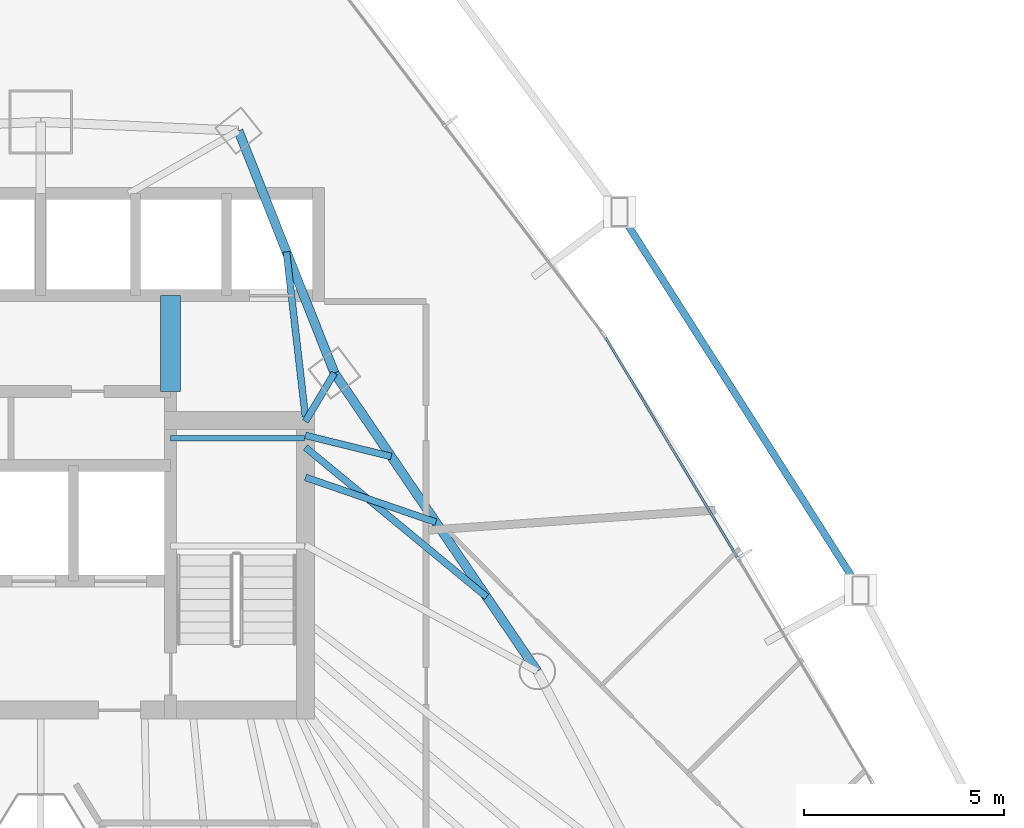
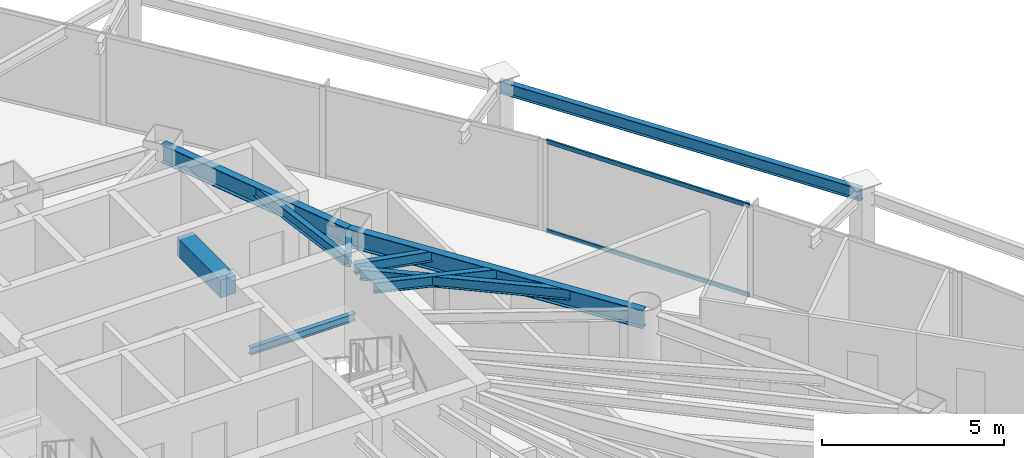
# One storey, part 26 of 35: 10 beams, 2 members, 1 element without a shape of its own.
"""IFC4 building model written with IfcOpenShell, lengths in metres."""

from ifc_helpers import new_model, si_unit, direction, frame, origin, origin_2d, place, context, subcontext, project, spatial, rectangle, hollow_rectangle, i_section, extrude, material, layer, layer_set, material_profile, profile_set, type_object, element, aggregate, save


model = new_model("IFC4")

# Units and contexts
model_context = context("Model", 3, precision=1e-05, world=origin(), true_north=direction((0.0, 1.0)))
body_context = subcontext(model_context, "Body", "Model", "MODEL_VIEW")
ifc_project = project(units=[si_unit("LENGTHUNIT", "METRE"), si_unit("AREAUNIT", "SQUARE_METRE"), si_unit("VOLUMEUNIT", "CUBIC_METRE"), si_unit("PLANEANGLEUNIT", "RADIAN"), si_unit("MASSUNIT", "GRAM", prefix="KILO")], contexts=[model_context])

# Site, building, storey
site_placement = place(None, origin())
site = spatial("IfcSite", under=ifc_project, at=site_placement, CompositionType="ELEMENT")
building_placement = place(site_placement, origin())
building = spatial("IfcBuilding", under=site, at=building_placement, Name="Orvanel Arch Residences", CompositionType="ELEMENT")
storey_placement = place(building_placement, frame((0.0, 0.0, 30.199951171875)))
storey = spatial("IfcBuildingStorey", under=building, at=storey_placement, Name="L07", CompositionType="ELEMENT", Elevation=30.199951171875)

# Beams
ifc_material_1 = material(Name="Structural steel AS/NZS 3679.1 Grade 300 (300 MPa)", Category="steel")
ifc_material_profile_1 = material_profile(ifc_material_1, i_section(OverallWidth=0.14599609375, OverallDepth=0.251953125, WebThickness=0.006103515625, FlangeThickness=0.008544921875, at=origin_2d()), Name="250UB31.4")
ifc_profile_set_1 = profile_set([ifc_material_profile_1], Name="Structural steel AS/NZS 3679.1 Grade 300 (300 MPa)")
beam_type_1 = type_object("IfcBeamType", Name="BJ-250UB", PredefinedType="JOIST", material=ifc_profile_set_1)
beam_1_placement = place(storey_placement, frame((36.25, 33.47998046875, 1.323974609375), z_axis=(1.0, 0.0, 0.0), x_axis=(0.0, 1.0, 0.0)))
element("IfcBeam", 1, at=beam_1_placement, inside=storey, type_object=beam_type_1, Name="L07 ST-2 Half-Landing Support Beam 1.2", PredefinedType="JOIST", context=body_context, shape_type="SweptSolid", body=[
    extrude(i_section(OverallWidth=0.14599609375, OverallDepth=0.251953125, WebThickness=0.006103515625, FlangeThickness=0.008544921875, at=origin_2d()), origin(), (0.0, 0.0, 1.0), 3.35009765625),
])
ifc_material_profile_2 = material_profile(ifc_material_1, i_section(OverallWidth=0.1708984375, OverallDepth=0.35595703125, WebThickness=0.00732421875, FlangeThickness=0.011474609375, at=origin_2d()), Name="360UB50.7")
ifc_profile_set_2 = profile_set([ifc_material_profile_2], Name="Structural steel AS/NZS 3679.1 Grade 300 (300 MPa)")
beam_type_2 = type_object("IfcBeamType", Name="BJ-360UB", PredefinedType="JOIST", material=ifc_profile_set_2)
beam_2_placement = place(storey_placement, frame((39.625, 33.89990234375, 2.882080078125), z_axis=(0.514064138778, 0.857751748015, 0.0), x_axis=(-0.857751748015, 0.514064138778, 0.0)))
element("IfcBeam", 2, at=beam_2_placement, inside=storey, type_object=beam_type_2, Name="L07 NNE Wing Floor Joist", PredefinedType="JOIST", context=body_context, shape_type="SweptSolid", body=[
    extrude(i_section(OverallWidth=0.1708984375, OverallDepth=0.35595703125, WebThickness=0.00732421875, FlangeThickness=0.011474609375, at=origin_2d()), origin(), (0.0, 0.0, 1.0), 1.414306640625),
])
beam_3_placement = place(storey_placement, frame((39.625, 34.02001953125, 2.882080078125), z_axis=(-0.114186670431, 0.993459311847, 0.0), x_axis=(-0.993459311847, -0.114186670431, 0.0)))
element("IfcBeam", 3, at=beam_3_placement, inside=storey, type_object=beam_type_2, Name="L07 NNE2 Wing Floor Joist", PredefinedType="JOIST", context=body_context, shape_type="SweptSolid", body=[
    extrude(i_section(OverallWidth=0.1708984375, OverallDepth=0.35595703125, WebThickness=0.00732421875, FlangeThickness=0.011474609375, at=origin_2d()), origin(), (0.0, 0.0, 1.0), 4.152099609375),
])
beam_4_placement = place(storey_placement, frame((39.625, 32.5, 2.882080078125), z_axis=(0.945658073701, -0.325162740247, 0.0), x_axis=(0.325162740247, 0.945658073701, 0.0)))
element("IfcBeam", 4, at=beam_4_placement, inside=storey, type_object=beam_type_2, Name="L07 ENE Wing Floor Joist", PredefinedType="JOIST", context=body_context, shape_type="SweptSolid", body=[
    extrude(i_section(OverallWidth=0.1708984375, OverallDepth=0.35595703125, WebThickness=0.00732421875, FlangeThickness=0.011474609375, at=origin_2d()), origin(), (0.0, 0.0, 1.0), 3.453857421875),
])
beam_5_placement = place(storey_placement, frame((39.625, 33.25, 2.882080078125), z_axis=(0.771468562814, -0.636267441089, 0.0), x_axis=(0.636267441089, 0.771468562814, 0.0)))
element("IfcBeam", 5, at=beam_5_placement, inside=storey, type_object=beam_type_2, Name="L07 LE Wing Floor Joist", PredefinedType="JOIST", context=body_context, shape_type="SweptSolid", body=[
    extrude(i_section(OverallWidth=0.1708984375, OverallDepth=0.35595703125, WebThickness=0.00732421875, FlangeThickness=0.011474609375, at=origin_2d()), origin(), (0.0, 0.0, 1.0), 5.879638671875),
])
beam_6_placement = place(storey_placement, frame((39.625, 33.550048828125, 2.882080078125), z_axis=(0.971005818547, -0.239055851942, 0.0), x_axis=(0.239055851942, 0.971005818547, 0.0)))
element("IfcBeam", 6, at=beam_6_placement, inside=storey, type_object=beam_type_2, Name="L07 JADD4 Wing Floor Joist", PredefinedType="JOIST", context=body_context, shape_type="SweptSolid", body=[
    extrude(i_section(OverallWidth=0.1708984375, OverallDepth=0.35595703125, WebThickness=0.00732421875, FlangeThickness=0.011474609375, at=origin_2d()), origin(), (0.0, 0.0, 1.0), 2.213134765625),
])
ifc_material_2 = material(Name="Concrete S65 (65 MPa)", Category="concrete")
ifc_material_profile_3 = material_profile(ifc_material_2, rectangle(XDim=0.5, YDim=0.60009765625, at=origin_2d()), Name="RC500x600")
ifc_profile_set_3 = profile_set([ifc_material_profile_3], Name="Concrete S65 (65 MPa)")
beam_type_3 = type_object("IfcBeamType", Name="CB-500x600", PredefinedType="LINTEL", material=ifc_profile_set_3)
beam_7_placement = place(storey_placement, frame((36.25, 34.64990234375, 2.760009765625), z_axis=(0.0, 1.0, 0.0), x_axis=(-1.0, 0.0, 0.0)))
element("IfcBeam", 7, at=beam_7_placement, inside=storey, type_object=beam_type_3, Name="L07 East Core Lobby Coupling Lintel Beam", PredefinedType="LINTEL", context=body_context, shape_type="SweptSolid", body=[
    extrude(rectangle(XDim=0.5, YDim=0.60009765625, at=origin_2d()), origin(), (0.0, 0.0, 1.0), 2.400146484375),
])
ifc_material_profile_4 = material_profile(ifc_material_1, i_section(OverallWidth=0.177978515625, OverallDepth=0.406005859375, WebThickness=0.0078125, FlangeThickness=0.0126953125, at=origin_2d()), Name="410UB59.7")
ifc_profile_set_4 = profile_set([ifc_material_profile_4], Name="Structural steel AS/NZS 3679.1 Grade 300 (300 MPa)")
beam_type_4 = type_object("IfcBeamType", Name="OB-410UB-EXT", PredefinedType="SPANDREL", material=ifc_profile_set_4)
beam_8_placement = place(storey_placement, frame((53.51904296875, 29.675048828125, 2.85693359375), z_axis=(-0.537187878794, 0.843462614985, 0.0), x_axis=(-0.843462614985, -0.537187878794, 0.0)))
element("IfcBeam", 8, at=beam_8_placement, inside=storey, type_object=beam_type_4, Name="L07 Outer Perimeter Floor Ring Beam 10", PredefinedType="SPANDREL", context=body_context, shape_type="SweptSolid", body=[
    extrude(i_section(OverallWidth=0.177978515625, OverallDepth=0.406005859375, WebThickness=0.0078125, FlangeThickness=0.0126953125, at=origin_2d()), origin(), (0.0, 0.0, 1.0), 11.22509765625),
])
ifc_material_profile_5 = material_profile(ifc_material_1, i_section(OverallWidth=0.22900390625, OverallDepth=0.612060546875, WebThickness=0.011962890625, FlangeThickness=0.01953125, at=origin_2d()), Name="610UB125")
ifc_profile_set_5 = profile_set([ifc_material_profile_5], Name="Structural steel AS/NZS 3679.1 Grade 300 (300 MPa)")
beam_type_5 = type_object("IfcBeamType", Name="SP-610UB", PredefinedType="SPANDREL", material=ifc_profile_set_5)
beam_9_placement = place(storey_placement, frame((45.430908203125, 27.64111328125, 2.754150390625), z_axis=(-0.562154793153, 0.827032035978, 0.0), x_axis=(-0.827032035978, -0.562154793153, 0.0)))
element("IfcBeam", 9, at=beam_9_placement, inside=storey, type_object=beam_type_5, Name="L07 Perimeter Spandrel Beam 14", PredefinedType="SPANDREL", context=body_context, shape_type="SweptSolid", body=[
    extrude(i_section(OverallWidth=0.22900390625, OverallDepth=0.612060546875, WebThickness=0.011962890625, FlangeThickness=0.01953125, at=origin_2d()), origin(), (0.0, 0.0, 1.0), 9.03466796875),
])
beam_10_placement = place(storey_placement, frame((40.35205078125, 35.113037109375, 2.754150390625), z_axis=(-0.368233143579, 0.929733484376, 0.0), x_axis=(-0.929733484376, -0.368233143579, 0.0)))
element("IfcBeam", 10, at=beam_10_placement, inside=storey, type_object=beam_type_5, Name="L07 Perimeter Spandrel Beam 15", PredefinedType="SPANDREL", context=body_context, shape_type="SweptSolid", body=[
    extrude(i_section(OverallWidth=0.22900390625, OverallDepth=0.612060546875, WebThickness=0.011962890625, FlangeThickness=0.01953125, at=origin_2d()), origin(), (0.0, 0.0, 1.0), 6.523193359375),
])

# Curtain wall, members
ifc_material_3 = material(Name="Bronze-anodised aluminium AA6063-T6", Category="aluminium")
ifc_layer = layer(ifc_material_3, 0.179931640625)
ifc_layer_set = layer_set([ifc_layer], Name="Bronze-anodised aluminium AA6063-T6")
curtain_wall_type = type_object("IfcCurtainWallType", Name="CW2-LOW-SYS", PredefinedType="NOTDEFINED", material=ifc_layer_set)
curtain_wall_placement = place(storey_placement, origin())
curtain_wall = element("IfcCurtainWall", 11, at=curtain_wall_placement, inside=storey, type_object=curtain_wall_type, Name="L07 CW2-LOW-SYS Unitised Curtain Wall", PredefinedType="NOTDEFINED")
ifc_material_profile_6 = material_profile(ifc_material_3, hollow_rectangle(XDim=0.06005859375, YDim=0.135009765625, WallThickness=0.00390625, at=origin_2d()), Name="ALU135x60x4")
ifc_profile_set_6 = profile_set([ifc_material_profile_6], Name="Bronze-anodised aluminium AA6063-T6")
member_type = type_object("IfcMemberType", Name="TRN-135x60", PredefinedType="USERDEFINED", material=ifc_profile_set_6)
member_1_placement = place(storey_placement, frame((50.431884765625, 30.509521484375, 0.030029296875), z_axis=(-0.514411623983, 0.857543398967, 0.0), x_axis=(-0.857543398967, -0.514411623983, 0.0)))
member_1 = element("IfcMember", 12, at=member_1_placement, type_object=member_type, Name="CW-S2 transom 2.1", ObjectType="TRANSOM", PredefinedType="USERDEFINED", context=body_context, shape_type="SweptSolid", body=[
    extrude(hollow_rectangle(XDim=0.06005859375, YDim=0.135009765625, WallThickness=0.00390625, at=origin_2d()), origin(), (0.0, 0.0, 1.0), 6.4013671875),
])
member_2_placement = place(storey_placement, frame((50.431884765625, 30.509521484375, 3.030029296875), z_axis=(-0.514411623983, 0.857543398967, 0.0), x_axis=(-0.857543398967, -0.514411623983, 0.0)))
member_2 = element("IfcMember", 13, at=member_2_placement, type_object=member_type, Name="CW-S2 transom 2.2", ObjectType="TRANSOM", PredefinedType="USERDEFINED", context=body_context, shape_type="SweptSolid", body=[
    extrude(hollow_rectangle(XDim=0.06005859375, YDim=0.135009765625, WallThickness=0.00390625, at=origin_2d()), origin(), (0.0, 0.0, 1.0), 6.4013671875),
])
aggregate(curtain_wall, [member_1, member_2])

save(model, "model.ifc")
